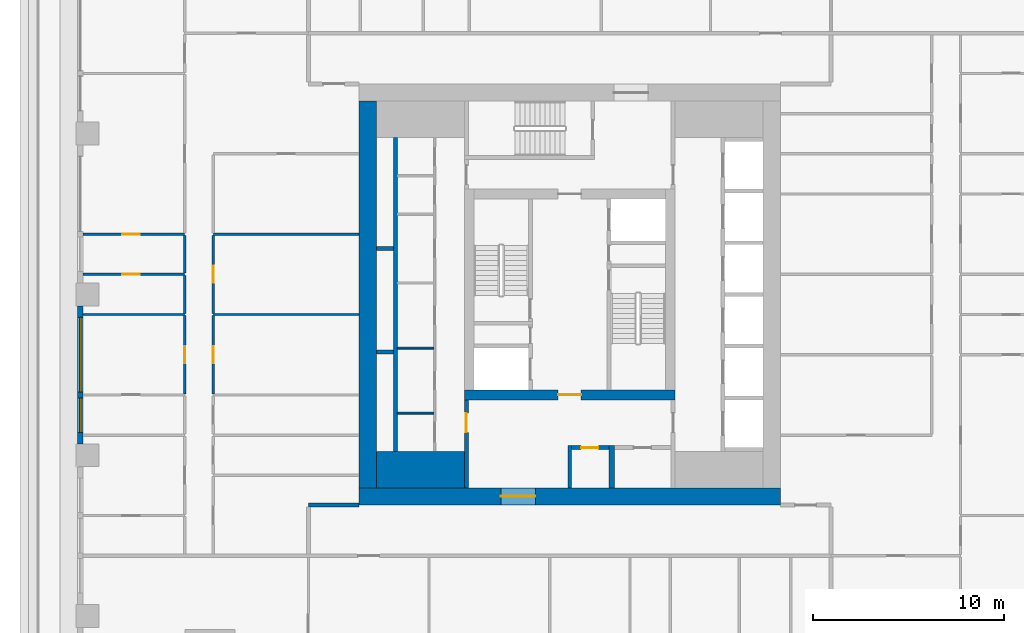
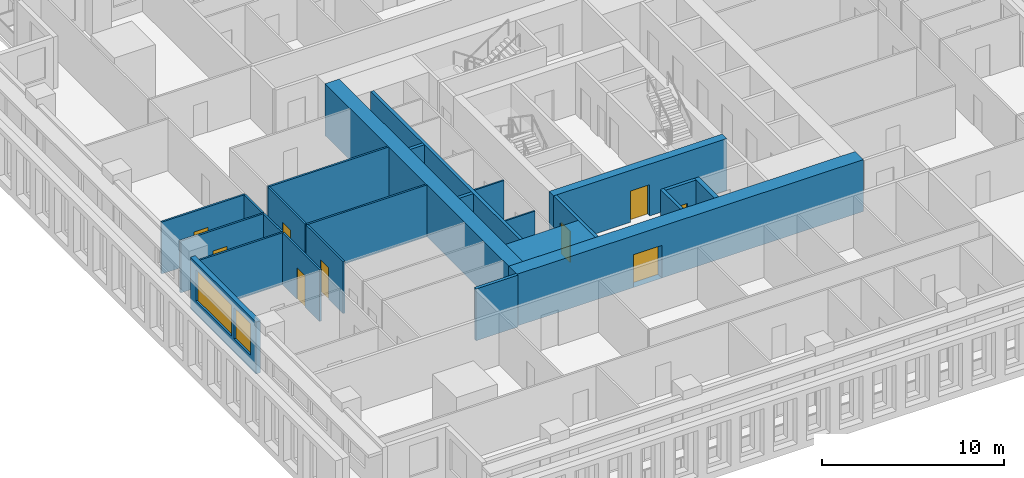
# One storey, part 3 of 15: 25 walls, 9 doors, 2 windows, 11 openings.
"""IFC4 building model written with IfcOpenShell, lengths in metres."""

from ifc_helpers import new_model, si_unit, direction, frame, frame_2d, origin, place, context, subcontext, project, spatial, rectangle, extrude, material, layer, layer_set, type_object, element, fill, save


model = new_model("IFC4")

# Units and contexts
model_context = context("Model", 3, precision=1e-05, world=origin(), true_north=direction((0.0, 1.0)))
body_context = subcontext(model_context, "Body", "Model", "MODEL_VIEW")
ifc_project = project(units=[si_unit("LENGTHUNIT", "METRE"), si_unit("AREAUNIT", "SQUARE_METRE"), si_unit("VOLUMEUNIT", "CUBIC_METRE"), si_unit("PLANEANGLEUNIT", "RADIAN"), si_unit("MASSUNIT", "GRAM", prefix="KILO")], contexts=[model_context])

# Site, building, storey
site_placement = place(None, origin())
site = spatial("IfcSite", under=ifc_project, at=site_placement, CompositionType="ELEMENT")
building_placement = place(site_placement, origin())
building = spatial("IfcBuilding", under=site, at=building_placement, Name="Khepri Terraces", CompositionType="ELEMENT")
storey_placement = place(building_placement, frame((0.0, 0.0, 145.5)))
storey = spatial("IfcBuildingStorey", under=building, at=storey_placement, Name="L34", CompositionType="ELEMENT", Elevation=145.5)

# Walls
ifc_material_1 = material(Name="Concrete C60/75", Category="concrete")
ifc_layer_1 = layer(ifc_material_1, 1.89990234375, Name="Concrete C60/75", Category="concrete")
ifc_layer_set_1 = layer_set([ifc_layer_1], Name="Concrete C60/75")
wall_type_1 = type_object("IfcWallType", Name="Core wall 1900 C60/75", PredefinedType="SHEAR", material=ifc_layer_set_1)
wall_1_placement = place(storey_placement, frame((-10.10009765625, -9.14990234375, 0.0), z_axis=(0.0, 0.0, 1.0), x_axis=(1.0, 0.0, 0.0)))
element("IfcWall", 1, at=wall_1_placement, inside=storey, type_object=wall_type_1, Name="Core wall PR01 L34", PredefinedType="SHEAR", context=body_context, shape_type="SweptSolid", body=[
    extrude(rectangle(XDim=4.60009765625, YDim=1.89990234375, at=frame_2d((2.300048828125, 0.0))), origin(), (0.0, 0.0, 1.0), 3.47998046875),
])
ifc_layer_2 = layer(ifc_material_1, 0.199951171875, Name="Concrete C60/75", Category="concrete")
ifc_layer_set_2 = layer_set([ifc_layer_2], Name="Concrete C60/75")
wall_type_2 = type_object("IfcWallType", Name="Core wall 200 C60/75", PredefinedType="SHEAR", material=ifc_layer_set_2)
wall_2_placement = place(storey_placement, frame((-9.10009765625, -8.199951171875, 0.0), z_axis=(0.0, 0.0, 1.0), x_axis=(0.0, 1.0, 0.0)))
element("IfcWall", 2, at=wall_2_placement, inside=storey, type_object=wall_type_2, Name="Core wall SH01 L34", PredefinedType="SHEAR", context=body_context, shape_type="SweptSolid", body=[
    extrude(rectangle(XDim=16.39990234375, YDim=0.199951171875, at=frame_2d((8.199951171875, 0.0))), origin(), (0.0, 0.0, 1.0), 3.47998046875),
])
for number, where, z_axis, x_axis, name in (
    (3, (-10.10009765625, -3.0, 0.0), (0.0, 0.0, 1.0), (1.0, 0.0, 0.0), "Core wall SH06 L34"),
    (4, (-10.10009765625, 2.39990234375, 0.0), (0.0, 0.0, 1.0), (1.0, 0.0, 0.0), "Core wall SH11 L34"),
):
    element("IfcWall", number, at=place(storey_placement, frame(where, z_axis=z_axis, x_axis=x_axis)), inside=storey, type_object=wall_type_2, Name=name, PredefinedType="SHEAR", context=body_context, shape_type="SweptSolid", body=[
        extrude(rectangle(XDim=0.900146484375, YDim=0.199951171875, at=frame_2d((0.4501953125, 0.0))), origin(), (0.0, 0.0, 1.0), 3.47998046875),
    ])

# Wall, opening, door
ifc_layer_3 = layer(ifc_material_1, 0.5, Name="Concrete C60/75", Category="concrete")
ifc_layer_set_3 = layer_set([ifc_layer_3], Name="Concrete C60/75")
wall_type_3 = type_object("IfcWallType", Name="Core wall 500 C60/75", PredefinedType="SHEAR", material=ifc_layer_set_3)
wall_3_placement = place(storey_placement, frame((-5.5, -5.25, 0.0), z_axis=(0.0, 0.0, 1.0), x_axis=(1.0, 0.0, 0.0)))
wall_3 = element("IfcWall", 5, at=wall_3_placement, inside=storey, type_object=wall_type_3, Name="Core wall BX01 L34", PredefinedType="SHEAR", context=body_context, shape_type="SweptSolid", body=[
    extrude(rectangle(XDim=11.0, YDim=0.5, at=frame_2d((5.5, 0.0))), origin(), (0.0, 0.0, 1.0), 3.47998046875),
])
opening_1_placement = place(wall_3_placement, frame((4.89990234375, 0.0, 0.0)))
opening_1 = element("IfcOpeningElement", 6, at=opening_1_placement, cuts=wall_3, Name="Opening L34-C14", PredefinedType="OPENING", context=body_context, shape_type="SweptSolid", body=[
    extrude(rectangle(XDim=1.199951171875, YDim=2.10009765625, at=frame_2d((0.60009765625, 1.050048828125))), frame((0.0, 0.260009765625, 0.0), z_axis=(0.0, -1.0, 0.0), x_axis=(1.0, 0.0, 0.0)), (0.0, 0.0, 1.0), 0.52001953125),
])
ifc_material_2 = material(Name="Painted steel", Category="steel")
door_type_1 = type_object("IfcDoorType", Name="DR-CORE-FF-LOBBY-1200", OperationType="NOTDEFINED", PredefinedType="DOOR", material=ifc_material_2)
door_1_placement = place(opening_1_placement, origin())
door_1 = element("IfcDoor", 7, at=door_1_placement, inside=storey, type_object=door_type_1, Name="Firefighting lobby door L34-C14", OperationType="SINGLE_SWING_RIGHT", OverallHeight=2.10009765625, OverallWidth=1.199951171875, PredefinedType="DOOR", context=body_context, shape_type="SweptSolid", body=[
    extrude(rectangle(XDim=1.199951171875, YDim=2.10009765625, at=frame_2d((0.60009765625, 1.050048828125))), frame((0.0, 0.02490234375, 0.0), z_axis=(0.0, -1.0, 0.0), x_axis=(1.0, 0.0, 0.0)), (0.0, 0.0, 1.0), 0.050048828125),
])
fill(opening_1, door_1)

ifc_layer_4 = layer(ifc_material_1, 0.89990234375, Name="Concrete C60/75", Category="concrete")
ifc_layer_set_4 = layer_set([ifc_layer_4], Name="Concrete C60/75")
wall_type_4 = type_object("IfcWallType", Name="Core wall 900 C60/75", PredefinedType="SHEAR", material=ifc_layer_set_4)
wall_4_placement = place(storey_placement, frame((-11.0, -10.550048828125, 0.0), z_axis=(0.0, 0.0, 1.0), x_axis=(1.0, 0.0, 0.0)))
wall_4 = element("IfcWall", 8, at=wall_4_placement, inside=storey, type_object=wall_type_4, Name="Core wall OW-S L34", PredefinedType="SHEAR", context=body_context, shape_type="SweptSolid", body=[
    extrude(rectangle(XDim=22.0, YDim=0.89990234375, at=frame_2d((11.0, 0.0))), origin(), (0.0, 0.0, 1.0), 3.47998046875),
])
opening_2_placement = place(wall_4_placement, frame((7.39990234375, 0.0, 0.0)))
opening_2 = element("IfcOpeningElement", 9, at=opening_2_placement, cuts=wall_4, Name="Opening L34-C21", PredefinedType="OPENING", context=body_context, shape_type="SweptSolid", body=[
    extrude(rectangle(XDim=1.800048828125, YDim=2.199951171875, at=frame_2d((0.89990234375, 1.10009765625))), frame((0.0, 0.4599609375, 0.0), z_axis=(0.0, -1.0, 0.0), x_axis=(1.0, 0.0, 0.0)), (0.0, 0.0, 1.0), 0.919921875),
])
door_type_2 = type_object("IfcDoorType", Name="DR-CORE-ENTRANCE-1800", OperationType="NOTDEFINED", PredefinedType="DOOR", material=ifc_material_2)
door_2_placement = place(opening_2_placement, frame((1.800048828125, 0.0, 0.0), z_axis=(0.0, 0.0, 1.0), x_axis=(-1.0, 0.0, 0.0)))
door_2 = element("IfcDoor", 10, at=door_2_placement, inside=storey, type_object=door_type_2, Name="Core entrance door pair L34-C21", OperationType="DOUBLE_DOOR_SINGLE_SWING", OverallHeight=2.199951171875, OverallWidth=1.800048828125, PredefinedType="DOOR", context=body_context, shape_type="SweptSolid", body=[
    extrude(rectangle(XDim=1.800048828125, YDim=2.199951171875, at=frame_2d((0.89990234375, 1.10009765625))), frame((0.0, 0.02490234375, 0.0), z_axis=(0.0, -1.0, 0.0), x_axis=(1.0, 0.0, 0.0)), (0.0, 0.0, 1.0), 0.050048828125),
])
fill(opening_2, door_2)

# Walls
wall_5_placement = place(storey_placement, frame((-10.550048828125, -10.10009765625, 0.0), z_axis=(0.0, 0.0, 1.0), x_axis=(0.0, 1.0, 0.0)))
element("IfcWall", 11, at=wall_5_placement, inside=storey, type_object=wall_type_4, Name="Core wall OW-W L34", PredefinedType="SHEAR", context=body_context, shape_type="SweptSolid", body=[
    extrude(rectangle(XDim=20.2001953125, YDim=0.89990234375, at=frame_2d((10.10009765625, 0.0))), origin(), (0.0, 0.0, 1.0), 3.47998046875),
])
ifc_material_3 = material(Name="Fire-rated gypsum board partition")
ifc_layer_5 = layer(ifc_material_3, 0.10009765625, Name="Fire-rated gypsum board partition")
ifc_layer_set_5 = layer_set([ifc_layer_5], Name="Fire-rated gypsum board partition")
wall_type_5 = type_object("IfcWallType", Name="WL-CORE-PART-100", PredefinedType="PARTITIONING", material=ifc_layer_set_5)
for number, where, z_axis, x_axis, name in (
    (12, (-9.0, -6.199951171875, 0.0), (0.0, 0.0, 1.0), (1.0, 0.0, 0.0), "Core partition PT08 L34"),
    (13, (-9.0, -2.800048828125, 0.0), (0.0, 0.0, 1.0), (1.0, 0.0, 0.0), "Core partition PT09 L34"),
):
    element("IfcWall", number, at=place(storey_placement, frame(where, z_axis=z_axis, x_axis=x_axis)), inside=storey, type_object=wall_type_5, Name=name, PredefinedType="PARTITIONING", context=body_context, shape_type="SweptSolid", body=[
        extrude(rectangle(XDim=1.89990234375, YDim=0.10009765625, at=frame_2d((0.949951171875, 0.0))), origin(), (0.0, 0.0, 1.0), 3.47998046875),
    ])

# Wall, opening, door
ifc_layer_6 = layer(ifc_material_3, 0.199951171875, Name="Fire-rated gypsum board partition")
ifc_layer_set_6 = layer_set([ifc_layer_6], Name="Fire-rated gypsum board partition")
wall_type_6 = type_object("IfcWallType", Name="WL-CORE-PART-200", PredefinedType="PARTITIONING", material=ifc_layer_set_6)
wall_6_placement = place(storey_placement, frame((-5.39990234375, -10.10009765625, 0.0), z_axis=(0.0, 0.0, 1.0), x_axis=(0.0, 1.0, 0.0)))
wall_6 = element("IfcWall", 14, at=wall_6_placement, inside=storey, type_object=wall_type_6, Name="Core partition PT01 L34", PredefinedType="PARTITIONING", context=body_context, shape_type="SweptSolid", body=[
    extrude(rectangle(XDim=4.60009765625, YDim=0.199951171875, at=frame_2d((2.300048828125, 0.0))), origin(), (0.0, 0.0, 1.0), 3.47998046875),
])
opening_3_placement = place(wall_6_placement, frame((2.89990234375, 0.0, 0.0)))
opening_3 = element("IfcOpeningElement", 15, at=opening_3_placement, cuts=wall_6, Name="Opening L34-C18", PredefinedType="OPENING", context=body_context, shape_type="SweptSolid", body=[
    extrude(rectangle(XDim=1.0, YDim=2.10009765625, at=frame_2d((0.5, 1.050048828125))), frame((0.0, 0.10986328125, 0.0), z_axis=(0.0, -1.0, 0.0), x_axis=(1.0, 0.0, 0.0)), (0.0, 0.0, 1.0), 0.219970703125),
])
door_type_3 = type_object("IfcDoorType", Name="DR-CORE-LOBBY-1000", OperationType="NOTDEFINED", PredefinedType="DOOR", material=ifc_material_2)
door_3_placement = place(opening_3_placement, frame((1.0, 0.0, 0.0), z_axis=(0.0, 0.0, 1.0), x_axis=(-1.0, 0.0, 0.0)))
door_3 = element("IfcDoor", 16, at=door_3_placement, inside=storey, type_object=door_type_3, Name="Lobby door L34-C18", OperationType="SINGLE_SWING_LEFT", OverallHeight=2.10009765625, OverallWidth=1.0, PredefinedType="DOOR", context=body_context, shape_type="SweptSolid", body=[
    extrude(rectangle(XDim=1.0, YDim=2.10009765625, at=frame_2d((0.5, 1.050048828125))), frame((0.0, 0.02490234375, 0.0), z_axis=(0.0, -1.0, 0.0), x_axis=(1.0, 0.0, 0.0)), (0.0, 0.0, 1.0), 0.050048828125),
])
fill(opening_3, door_3)

# Wall
wall_7_placement = place(storey_placement, frame((0.0, -10.10009765625, 0.0), z_axis=(0.0, 0.0, 1.0), x_axis=(0.0, 1.0, 0.0)))
element("IfcWall", 17, at=wall_7_placement, inside=storey, type_object=wall_type_6, Name="Core partition PT02 L34", PredefinedType="PARTITIONING", context=body_context, shape_type="SweptSolid", body=[
    extrude(rectangle(XDim=2.2001953125, YDim=0.199951171875, at=frame_2d((1.10009765625, 0.0))), origin(), (0.0, 0.0, 1.0), 3.47998046875),
])

# Wall, opening, door
wall_8_placement = place(storey_placement, frame((0.10009765625, -8.0, 0.0), z_axis=(0.0, 0.0, 1.0), x_axis=(1.0, 0.0, 0.0)))
wall_8 = element("IfcWall", 18, at=wall_8_placement, inside=storey, type_object=wall_type_6, Name="Core partition PT06 L34", PredefinedType="PARTITIONING", context=body_context, shape_type="SweptSolid", body=[
    extrude(rectangle(XDim=1.949951171875, YDim=0.199951171875, at=frame_2d((0.97509765625, 0.0))), origin(), (0.0, 0.0, 1.0), 3.47998046875),
])
opening_4_placement = place(wall_8_placement, frame((0.5, 0.0, 0.0)))
opening_4 = element("IfcOpeningElement", 19, at=opening_4_placement, cuts=wall_8, Name="Opening L34-C22", PredefinedType="OPENING", context=body_context, shape_type="SweptSolid", body=[
    extrude(rectangle(XDim=0.89990234375, YDim=2.10009765625, at=frame_2d((0.449951171875, 1.050048828125))), frame((0.0, 0.10986328125, 0.0), z_axis=(0.0, -1.0, 0.0), x_axis=(1.0, 0.0, 0.0)), (0.0, 0.0, 1.0), 0.219970703125),
])
door_type_4 = type_object("IfcDoorType", Name="DR-CORE-SERVICE-900", OperationType="NOTDEFINED", PredefinedType="DOOR", material=ifc_material_2)
door_4_placement = place(opening_4_placement, frame((0.89990234375, 0.0, 0.0), z_axis=(0.0, 0.0, 1.0), x_axis=(-1.0, 0.0, 0.0)))
door_4 = element("IfcDoor", 20, at=door_4_placement, inside=storey, type_object=door_type_4, Name="Service room door L34-C22", OperationType="SINGLE_SWING_RIGHT", OverallHeight=2.10009765625, OverallWidth=0.89990234375, PredefinedType="DOOR", context=body_context, shape_type="SweptSolid", body=[
    extrude(rectangle(XDim=0.89990234375, YDim=2.10009765625, at=frame_2d((0.449951171875, 1.050048828125))), frame((0.0, 0.02490234375, 0.0), z_axis=(0.0, -1.0, 0.0), x_axis=(1.0, 0.0, 0.0)), (0.0, 0.0, 1.0), 0.050048828125),
])
fill(opening_4, door_4)

# Walls
ifc_layer_7 = layer(ifc_material_3, 0.300048828125, Name="Fire-rated gypsum board partition")
ifc_layer_set_7 = layer_set([ifc_layer_7], Name="Fire-rated gypsum board partition")
wall_type_7 = type_object("IfcWallType", Name="WL-CORE-PART-300", PredefinedType="PARTITIONING", material=ifc_layer_set_7)
wall_9_placement = place(storey_placement, frame((2.199951171875, -10.10009765625, 0.0), z_axis=(0.0, 0.0, 1.0), x_axis=(0.0, 1.0, 0.0)))
element("IfcWall", 21, at=wall_9_placement, inside=storey, type_object=wall_type_7, Name="Core partition PT03 L34", PredefinedType="PARTITIONING", context=body_context, shape_type="SweptSolid", body=[
    extrude(rectangle(XDim=2.2001953125, YDim=0.300048828125, at=frame_2d((1.10009765625, 0.0))), origin(), (0.0, 0.0, 1.0), 3.47998046875),
])
ifc_material_4 = material(Name="Fire-rated gypsum plasterboard partition, mineral wool")
ifc_layer_8 = layer(ifc_material_4, 0.199951171875, Name="Fire-rated gypsum plasterboard partition, mineral wool")
ifc_layer_set_8 = layer_set([ifc_layer_8], Name="Fire-rated gypsum plasterboard partition, mineral wool")
wall_type_8 = type_object("IfcWallType", Name="WL-CORR-200", PredefinedType="PARTITIONING", material=ifc_layer_set_8)
wall_10_placement = place(storey_placement, frame((-13.64990234375, -11.0, 0.0), z_axis=(0.0, 0.0, 1.0), x_axis=(1.0, 0.0, 0.0)))
element("IfcWall", 22, at=wall_10_placement, inside=storey, type_object=wall_type_8, Name="Partition P-029 L34", PredefinedType="PARTITIONING", context=body_context, shape_type="SweptSolid", body=[
    extrude(rectangle(XDim=2.64990234375, YDim=0.199951171875, at=frame_2d((1.324951171875, 0.0))), origin(), (0.0, 0.0, 1.0), 3.47998046875),
])

# Wall, openings, windows
ifc_material_5 = material(Name="Precast concrete C50/60 warm stone", Category="masonry")
ifc_layer_9 = layer(ifc_material_5, 0.300048828125, Name="Precast concrete C50/60 warm stone", Category="masonry")
ifc_layer_set_9 = layer_set([ifc_layer_9], Name="Precast concrete C50/60 warm stone")
wall_type_9 = type_object("IfcWallType", Name="WL-EXT-PRECAST-300", PredefinedType="STANDARD", material=ifc_layer_set_9)
wall_11_placement = place(storey_placement, frame((-25.570068359375, -0.60009765625, 0.0), z_axis=(0.0, 0.0, 1.0), x_axis=(0.0, -1.0, 0.0)))
wall_11 = element("IfcWall", 23, at=wall_11_placement, inside=storey, type_object=wall_type_9, Name="External wall L34 W", PredefinedType="STANDARD", context=body_context, shape_type="SweptSolid", body=[
    extrude(rectangle(XDim=7.199951171875, YDim=0.300048828125, at=frame_2d((3.60009765625, 0.0))), origin(), (0.0, 0.0, 1.0), 3.47998046875),
])
opening_5_placement = place(wall_11_placement, frame((0.60009765625, 0.0, 0.89990234375)))
opening_5 = element("IfcOpeningElement", 24, at=opening_5_placement, cuts=wall_11, Name="Opening W2", PredefinedType="OPENING", context=body_context, shape_type="SweptSolid", body=[
    extrude(rectangle(XDim=3.89990234375, YDim=2.10009765625, at=frame_2d((1.949951171875, 1.050048828125))), frame((0.0, 0.16015625, 0.0), z_axis=(0.0, -1.0, 0.0), x_axis=(1.0, 0.0, 0.0)), (0.0, 0.0, 1.0), 0.320068359375),
])
opening_6_placement = place(wall_11_placement, frame((4.800048828125, 0.0, 0.89990234375)))
opening_6 = element("IfcOpeningElement", 25, at=opening_6_placement, cuts=wall_11, Name="Opening W1", PredefinedType="OPENING", context=body_context, shape_type="SweptSolid", body=[
    extrude(rectangle(XDim=1.800048828125, YDim=2.10009765625, at=frame_2d((0.89990234375, 1.050048828125))), frame((0.0, 0.16015625, 0.0), z_axis=(0.0, -1.0, 0.0), x_axis=(1.0, 0.0, 0.0)), (0.0, 0.0, 1.0), 0.320068359375),
])
ifc_material_6 = material(Name="Clear glass", Category="glass")
window_type_1 = type_object("IfcWindowType", Name="WIN-RES-1800x2100", PartitioningType="SINGLE_PANEL", PredefinedType="WINDOW", material=ifc_material_6)
window_1_placement = place(opening_6_placement, origin())
window_1 = element("IfcWindow", 26, at=window_1_placement, inside=storey, type_object=window_type_1, Name="Window L34 W", OverallHeight=2.10009765625, OverallWidth=1.800048828125, PartitioningType="SINGLE_PANEL", PredefinedType="WINDOW", context=body_context, shape_type="SweptSolid", body=[
    extrude(rectangle(XDim=1.800048828125, YDim=2.10009765625, at=frame_2d((0.89990234375, 1.050048828125))), frame((0.0, 0.030029296875, 0.0), z_axis=(0.0, -1.0, 0.0), x_axis=(1.0, 0.0, 0.0)), (0.0, 0.0, 1.0), 0.06005859375),
])
fill(opening_6, window_1)
window_type_2 = type_object("IfcWindowType", Name="WIN-RES-3900x2100", PartitioningType="SINGLE_PANEL", PredefinedType="WINDOW", material=ifc_material_6)
window_2_placement = place(opening_5_placement, origin())
window_2 = element("IfcWindow", 27, at=window_2_placement, inside=storey, type_object=window_type_2, Name="Window L34 W", OverallHeight=2.10009765625, OverallWidth=3.89990234375, PartitioningType="SINGLE_PANEL", PredefinedType="WINDOW", context=body_context, shape_type="SweptSolid", body=[
    extrude(rectangle(XDim=3.89990234375, YDim=2.10009765625, at=frame_2d((1.949951171875, 1.050048828125))), frame((0.0, 0.030029296875, 0.0), z_axis=(0.0, -1.0, 0.0), x_axis=(1.0, 0.0, 0.0)), (0.0, 0.0, 1.0), 0.06005859375),
])
fill(opening_5, window_2)

# Wall, opening, door
ifc_material_7 = material(Name="Gypsum plasterboard partition")
ifc_layer_10 = layer(ifc_material_7, 0.1201171875, Name="Gypsum plasterboard partition")
ifc_layer_set_10 = layer_set([ifc_layer_10], Name="Gypsum plasterboard partition")
wall_type_10 = type_object("IfcWallType", Name="WL-PART-120", PredefinedType="PARTITIONING", material=ifc_layer_set_10)
wall_12_placement = place(storey_placement, frame((-20.1201171875, -5.18994140625, 0.0), z_axis=(0.0, 0.0, 1.0), x_axis=(0.0, 1.0, 0.0)))
wall_12 = element("IfcWall", 28, at=wall_12_placement, inside=storey, type_object=wall_type_10, Name="Partition P-041 L34", PredefinedType="PARTITIONING", context=body_context, shape_type="SweptSolid", body=[
    extrude(rectangle(XDim=4.079833984375, YDim=0.1201171875, at=frame_2d((2.0400390625, 0.0))), origin(), (0.0, 0.0, 1.0), 3.47998046875),
])
opening_7_placement = place(wall_12_placement, frame((1.590087890625, 0.0, 0.0)))
opening_7 = element("IfcOpeningElement", 29, at=opening_7_placement, cuts=wall_12, Name="Opening D3", PredefinedType="OPENING", context=body_context, shape_type="SweptSolid", body=[
    extrude(rectangle(XDim=0.89990234375, YDim=2.10009765625, at=frame_2d((0.449951171875, 1.050048828125))), frame((0.0, 0.070068359375, 0.0), z_axis=(0.0, -1.0, 0.0), x_axis=(1.0, 0.0, 0.0)), (0.0, 0.0, 1.0), 0.14013671875),
])
ifc_material_8 = material(Name="Timber door leaf", Category="wood")
door_type_5 = type_object("IfcDoorType", Name="DR-INT-900", OperationType="NOTDEFINED", PredefinedType="DOOR", material=ifc_material_8)
door_5_placement = place(opening_7_placement, origin())
door_5 = element("IfcDoor", 30, at=door_5_placement, inside=storey, type_object=door_type_5, Name="Door Bedroom", OperationType="SINGLE_SWING_RIGHT", OverallHeight=2.10009765625, OverallWidth=0.89990234375, PredefinedType="DOOR", context=body_context, shape_type="SweptSolid", body=[
    extrude(rectangle(XDim=0.89990234375, YDim=2.10009765625, at=frame_2d((0.449951171875, 1.050048828125))), frame((0.0, 0.02490234375, 0.0), z_axis=(0.0, -1.0, 0.0), x_axis=(1.0, 0.0, 0.0)), (0.0, 0.0, 1.0), 0.050048828125),
])
fill(opening_7, door_5)

wall_13_placement = place(storey_placement, frame((-18.6201171875, -5.18994140625, 0.0), z_axis=(0.0, 0.0, 1.0), x_axis=(0.0, 1.0, 0.0)))
wall_13 = element("IfcWall", 31, at=wall_13_placement, inside=storey, type_object=wall_type_10, Name="Partition P-042 L34", PredefinedType="PARTITIONING", context=body_context, shape_type="SweptSolid", body=[
    extrude(rectangle(XDim=4.079833984375, YDim=0.1201171875, at=frame_2d((2.0400390625, 0.0))), origin(), (0.0, 0.0, 1.0), 3.47998046875),
])
opening_8_placement = place(wall_13_placement, frame((1.590087890625, 0.0, 0.0)))
opening_8 = element("IfcOpeningElement", 32, at=opening_8_placement, cuts=wall_13, Name="Opening D3", PredefinedType="OPENING", context=body_context, shape_type="SweptSolid", body=[
    extrude(rectangle(XDim=0.89990234375, YDim=2.10009765625, at=frame_2d((0.449951171875, 1.050048828125))), frame((0.0, 0.070068359375, 0.0), z_axis=(0.0, -1.0, 0.0), x_axis=(1.0, 0.0, 0.0)), (0.0, 0.0, 1.0), 0.14013671875),
])
door_6_placement = place(opening_8_placement, frame((0.89990234375, 0.0, 0.0), z_axis=(0.0, 0.0, 1.0), x_axis=(-1.0, 0.0, 0.0)))
door_6 = element("IfcDoor", 33, at=door_6_placement, inside=storey, type_object=door_type_5, Name="Door Staff Bedroom", OperationType="SINGLE_SWING_LEFT", OverallHeight=2.10009765625, OverallWidth=0.89990234375, PredefinedType="DOOR", context=body_context, shape_type="SweptSolid", body=[
    extrude(rectangle(XDim=0.89990234375, YDim=2.10009765625, at=frame_2d((0.449951171875, 1.050048828125))), frame((0.0, 0.02490234375, 0.0), z_axis=(0.0, -1.0, 0.0), x_axis=(1.0, 0.0, 0.0)), (0.0, 0.0, 1.0), 0.050048828125),
])
fill(opening_8, door_6)

# Walls
wall_14_placement = place(storey_placement, frame((-25.419921875, -1.050048828125, 0.0), z_axis=(0.0, 0.0, 1.0), x_axis=(1.0, 0.0, 0.0)))
element("IfcWall", 34, at=wall_14_placement, inside=storey, type_object=wall_type_10, Name="Partition P-047 L34", PredefinedType="PARTITIONING", context=body_context, shape_type="SweptSolid", body=[
    extrude(rectangle(XDim=5.2998046875, YDim=0.1201171875, at=frame_2d((2.64990234375, 0.0))), origin(), (0.0, 0.0, 1.0), 3.47998046875),
])
wall_15_placement = place(storey_placement, frame((-18.6201171875, -1.050048828125, 0.0), z_axis=(0.0, 0.0, 1.0), x_axis=(1.0, 0.0, 0.0)))
element("IfcWall", 35, at=wall_15_placement, inside=storey, type_object=wall_type_10, Name="Partition P-048 L34", PredefinedType="PARTITIONING", context=body_context, shape_type="SweptSolid", body=[
    extrude(rectangle(XDim=7.6201171875, YDim=0.1201171875, at=frame_2d((3.81005859375, 0.0))), origin(), (0.0, 0.0, 1.0), 3.47998046875),
])
wall_16_placement = place(storey_placement, frame((-20.1201171875, -0.989990234375, 0.0), z_axis=(0.0, 0.0, 1.0), x_axis=(0.0, 1.0, 0.0)))
element("IfcWall", 36, at=wall_16_placement, inside=storey, type_object=wall_type_10, Name="Partition P-050 L34", PredefinedType="PARTITIONING", context=body_context, shape_type="SweptSolid", body=[
    extrude(rectangle(XDim=1.97998046875, YDim=0.1201171875, at=frame_2d((0.989990234375, 0.0))), origin(), (0.0, 0.0, 1.0), 3.47998046875),
])

# Wall, opening, door
wall_17_placement = place(storey_placement, frame((-18.6201171875, -0.989990234375, 0.0), z_axis=(0.0, 0.0, 1.0), x_axis=(0.0, 1.0, 0.0)))
wall_17 = element("IfcWall", 37, at=wall_17_placement, inside=storey, type_object=wall_type_10, Name="Partition P-051 L34", PredefinedType="PARTITIONING", context=body_context, shape_type="SweptSolid", body=[
    extrude(rectangle(XDim=4.080078125, YDim=0.1201171875, at=frame_2d((2.0400390625, 0.0))), origin(), (0.0, 0.0, 1.0), 3.47998046875),
])
opening_9_placement = place(wall_17_placement, frame((1.590087890625, 0.0, 0.0)))
opening_9 = element("IfcOpeningElement", 38, at=opening_9_placement, cuts=wall_17, Name="Opening D3", PredefinedType="OPENING", context=body_context, shape_type="SweptSolid", body=[
    extrude(rectangle(XDim=0.89990234375, YDim=2.10009765625, at=frame_2d((0.449951171875, 1.050048828125))), frame((0.0, 0.070068359375, 0.0), z_axis=(0.0, -1.0, 0.0), x_axis=(1.0, 0.0, 0.0)), (0.0, 0.0, 1.0), 0.14013671875),
])
door_7_placement = place(opening_9_placement, frame((0.89990234375, 0.0, 0.0), z_axis=(0.0, 0.0, 1.0), x_axis=(-1.0, 0.0, 0.0)))
door_7 = element("IfcDoor", 39, at=door_7_placement, inside=storey, type_object=door_type_5, Name="Door Service Store", OperationType="SINGLE_SWING_LEFT", OverallHeight=2.10009765625, OverallWidth=0.89990234375, PredefinedType="DOOR", context=body_context, shape_type="SweptSolid", body=[
    extrude(rectangle(XDim=0.89990234375, YDim=2.10009765625, at=frame_2d((0.449951171875, 1.050048828125))), frame((0.0, 0.02490234375, 0.0), z_axis=(0.0, -1.0, 0.0), x_axis=(1.0, 0.0, 0.0)), (0.0, 0.0, 1.0), 0.050048828125),
])
fill(opening_9, door_7)

wall_18_placement = place(storey_placement, frame((-25.419921875, 1.050048828125, 0.0), z_axis=(0.0, 0.0, 1.0), x_axis=(1.0, 0.0, 0.0)))
wall_18 = element("IfcWall", 40, at=wall_18_placement, inside=storey, type_object=wall_type_10, Name="Partition P-053 L34", PredefinedType="PARTITIONING", context=body_context, shape_type="SweptSolid", body=[
    extrude(rectangle(XDim=5.2998046875, YDim=0.1201171875, at=frame_2d((2.64990234375, 0.0))), origin(), (0.0, 0.0, 1.0), 3.47998046875),
])
opening_10_placement = place(wall_18_placement, frame((2.050048828125, 0.0, 0.0)))
opening_10 = element("IfcOpeningElement", 41, at=opening_10_placement, cuts=wall_18, Name="Opening D4", PredefinedType="OPENING", context=body_context, shape_type="SweptSolid", body=[
    extrude(rectangle(XDim=0.89990234375, YDim=2.10009765625, at=frame_2d((0.449951171875, 1.050048828125))), frame((0.0, 0.070068359375, 0.0), z_axis=(0.0, -1.0, 0.0), x_axis=(1.0, 0.0, 0.0)), (0.0, 0.0, 1.0), 0.14013671875),
])
ifc_material_9 = material(Name="Timber door leaf, moisture resistant", Category="wood")
door_type_6 = type_object("IfcDoorType", Name="DR-WET-900", OperationType="NOTDEFINED", PredefinedType="DOOR", material=ifc_material_9)
door_8_placement = place(opening_10_placement, frame((0.89990234375, 0.0, 0.0), z_axis=(0.0, 0.0, 1.0), x_axis=(-1.0, 0.0, 0.0)))
door_8 = element("IfcDoor", 42, at=door_8_placement, inside=storey, type_object=door_type_6, Name="Door Bathroom", OperationType="SINGLE_SWING_RIGHT", OverallHeight=2.10009765625, OverallWidth=0.89990234375, PredefinedType="DOOR", context=body_context, shape_type="SweptSolid", body=[
    extrude(rectangle(XDim=0.89990234375, YDim=2.10009765625, at=frame_2d((0.449951171875, 1.050048828125))), frame((0.0, 0.02490234375, 0.0), z_axis=(0.0, -1.0, 0.0), x_axis=(1.0, 0.0, 0.0)), (0.0, 0.0, 1.0), 0.050048828125),
])
fill(opening_10, door_8)

# Wall
wall_19_placement = place(storey_placement, frame((-20.1201171875, 1.110107421875, 0.0), z_axis=(0.0, 0.0, 1.0), x_axis=(0.0, 1.0, 0.0)))
element("IfcWall", 43, at=wall_19_placement, inside=storey, type_object=wall_type_10, Name="Partition P-056 L34", PredefinedType="PARTITIONING", context=body_context, shape_type="SweptSolid", body=[
    extrude(rectangle(XDim=1.97998046875, YDim=0.1201171875, at=frame_2d((0.989990234375, 0.0))), origin(), (0.0, 0.0, 1.0), 3.47998046875),
])

# Wall, opening, door
wall_20_placement = place(storey_placement, frame((-25.419921875, 3.14990234375, 0.0), z_axis=(0.0, 0.0, 1.0), x_axis=(1.0, 0.0, 0.0)))
wall_20 = element("IfcWall", 44, at=wall_20_placement, inside=storey, type_object=wall_type_10, Name="Partition P-059 L34", PredefinedType="PARTITIONING", context=body_context, shape_type="SweptSolid", body=[
    extrude(rectangle(XDim=5.2998046875, YDim=0.1201171875, at=frame_2d((2.64990234375, 0.0))), origin(), (0.0, 0.0, 1.0), 3.47998046875),
])
opening_11_placement = place(wall_20_placement, frame((2.050048828125, 0.0, 0.0)))
opening_11 = element("IfcOpeningElement", 45, at=opening_11_placement, cuts=wall_20, Name="Opening D3", PredefinedType="OPENING", context=body_context, shape_type="SweptSolid", body=[
    extrude(rectangle(XDim=0.89990234375, YDim=2.10009765625, at=frame_2d((0.449951171875, 1.050048828125))), frame((0.0, 0.070068359375, 0.0), z_axis=(0.0, -1.0, 0.0), x_axis=(1.0, 0.0, 0.0)), (0.0, 0.0, 1.0), 0.14013671875),
])
door_9_placement = place(opening_11_placement, frame((0.89990234375, 0.0, 0.0), z_axis=(0.0, 0.0, 1.0), x_axis=(-1.0, 0.0, 0.0)))
door_9 = element("IfcDoor", 46, at=door_9_placement, inside=storey, type_object=door_type_5, Name="Door Dressing Room", OperationType="SINGLE_SWING_RIGHT", OverallHeight=2.10009765625, OverallWidth=0.89990234375, PredefinedType="DOOR", context=body_context, shape_type="SweptSolid", body=[
    extrude(rectangle(XDim=0.89990234375, YDim=2.10009765625, at=frame_2d((0.449951171875, 1.050048828125))), frame((0.0, 0.02490234375, 0.0), z_axis=(0.0, -1.0, 0.0), x_axis=(1.0, 0.0, 0.0)), (0.0, 0.0, 1.0), 0.050048828125),
])
fill(opening_11, door_9)

# Wall
wall_21_placement = place(storey_placement, frame((-18.6201171875, 3.14990234375, 0.0), z_axis=(0.0, 0.0, 1.0), x_axis=(1.0, 0.0, 0.0)))
element("IfcWall", 47, at=wall_21_placement, inside=storey, type_object=wall_type_10, Name="Partition P-060 L34", PredefinedType="PARTITIONING", context=body_context, shape_type="SweptSolid", body=[
    extrude(rectangle(XDim=7.6201171875, YDim=0.1201171875, at=frame_2d((3.81005859375, 0.0))), origin(), (0.0, 0.0, 1.0), 3.47998046875),
])

save(model, "model.ifc")
